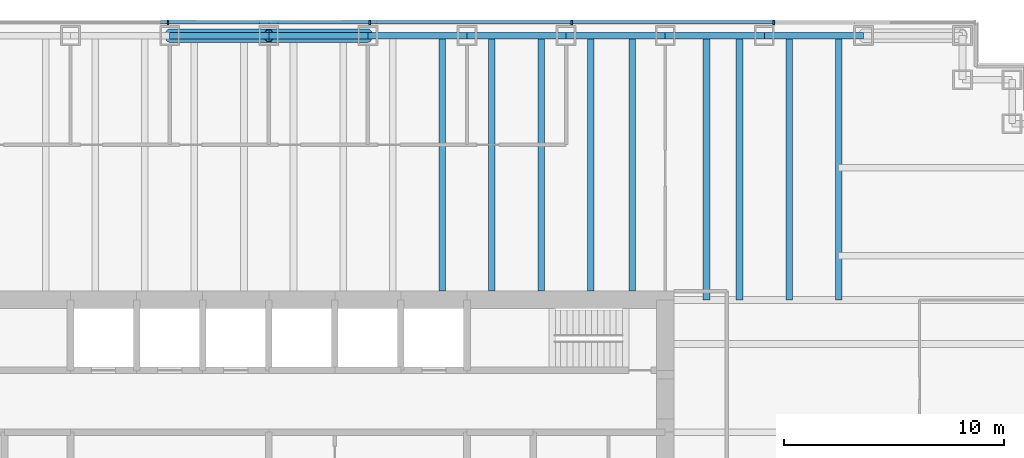
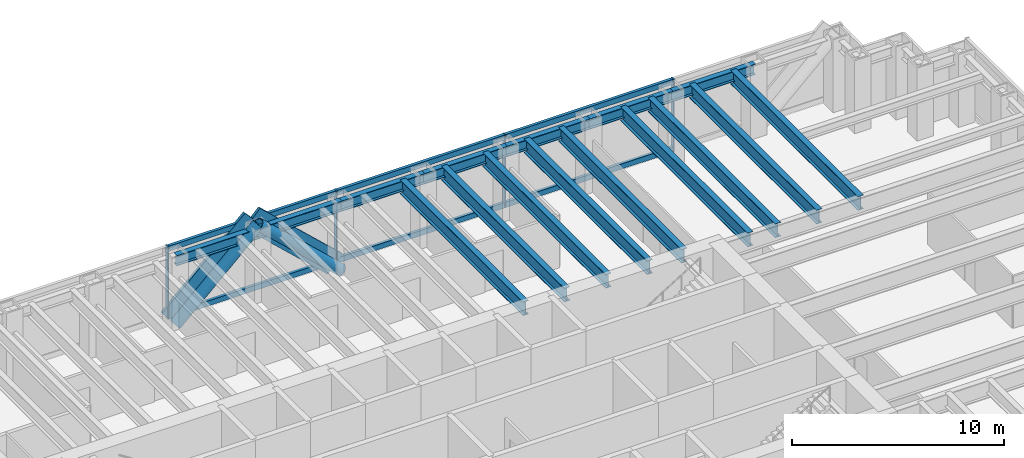
# One storey, part 6 of 14: 16 beams, 14 members, 1 element without a shape of its own.
"""IFC4 building model written with IfcOpenShell, lengths in metres."""

from ifc_helpers import new_model, si_unit, direction, frame, origin, origin_2d, place, context, subcontext, project, spatial, rectangle, hollow_circle, i_section, extrude, material, material_profile, profile_set, type_object, element, aggregate, save


model = new_model("IFC4")

# Units and contexts
model_context = context("Model", 3, precision=1e-05, world=origin(), true_north=direction((0.0, 1.0)))
body_context = subcontext(model_context, "Body", "Model", "MODEL_VIEW")
ifc_project = project(units=[si_unit("LENGTHUNIT", "METRE"), si_unit("AREAUNIT", "SQUARE_METRE"), si_unit("VOLUMEUNIT", "CUBIC_METRE"), si_unit("PLANEANGLEUNIT", "RADIAN"), si_unit("MASSUNIT", "GRAM", prefix="KILO")], contexts=[model_context])

# Site, building, storey
site_placement = place(None, origin())
site = spatial("IfcSite", under=ifc_project, at=site_placement, CompositionType="ELEMENT")
building_placement = place(site_placement, origin())
building = spatial("IfcBuilding", under=site, at=building_placement, Name="Rheinbord Bourse Tower", CompositionType="ELEMENT")
storey_placement = place(building_placement, frame((0.0, 0.0, 240.39990234375)))
storey = spatial("IfcBuildingStorey", under=building, at=storey_placement, Name="L54", CompositionType="ELEMENT", Elevation=240.39990234375)

# Curtain wall, members
ifc_material_1 = material(Name="Dark glass and black aluminium", Category="aluminium")
curtain_wall_type = type_object("IfcCurtainWallType", Name="CW2 DARK GLASS CURTAIN WALL", PredefinedType="USERDEFINED", material=ifc_material_1)
curtain_wall_placement = place(storey_placement, origin())
curtain_wall = element("IfcCurtainWall", 1, at=curtain_wall_placement, inside=storey, type_object=curtain_wall_type, Name="Curtain wall CW2 N L54", ObjectType="UNITISED CURTAIN WALL", PredefinedType="USERDEFINED")
ifc_material_2 = material(Name="Black anodised aluminium", Category="aluminium")
ifc_material_profile_1 = material_profile(ifc_material_2, rectangle(XDim=0.159912109375, YDim=1.2099609375, at=origin_2d()), Name="CW2 DIAGONAL MULLION 1210x160")
ifc_profile_set_1 = profile_set([ifc_material_profile_1], Name="Black anodised aluminium")
member_type_1 = type_object("IfcMemberType", Name="CW2 BLACK DIAGONAL MULLION", PredefinedType="USERDEFINED", material=ifc_profile_set_1)
member_1_placement = place(storey_placement, frame((31.5, 44.60009765625, 0.0), z_axis=(0.731039441158, 0.0, 0.682335207557), x_axis=(0.0, 1.0, 0.0)))
member_1 = element("IfcMember", 2, at=member_1_placement, type_object=member_type_1, Name="CW2 diagonal mullion c", ObjectType="DIAGONAL MULLION", PredefinedType="USERDEFINED", context=body_context, shape_type="SweptSolid", body=[
    extrude(rectangle(XDim=0.159912109375, YDim=1.2099609375, at=origin_2d()), origin(), (0.0, 0.0, 1.0), 6.155517578125),
])
member_2_placement = place(storey_placement, frame((40.5, 44.60009765625, 0.0), z_axis=(-0.731039441158, 0.0, 0.682335207557), x_axis=(0.0, -1.0, 0.0)))
member_2 = element("IfcMember", 3, at=member_2_placement, type_object=member_type_1, Name="CW2 diagonal mullion d", ObjectType="DIAGONAL MULLION", PredefinedType="USERDEFINED", context=body_context, shape_type="SweptSolid", body=[
    extrude(rectangle(XDim=0.159912109375, YDim=1.2099609375, at=origin_2d()), origin(), (0.0, 0.0, 1.0), 6.155517578125),
])
ifc_material_3 = material(Name="Black anodised aluminium", Category="aluminium")
ifc_material_profile_2 = material_profile(ifc_material_3, rectangle(XDim=0.219970703125, YDim=0.070068359375, at=origin_2d()), Name="CW2 MULLION 70x220")
ifc_profile_set_2 = profile_set([ifc_material_profile_2], Name="Black anodised aluminium")
member_type_2 = type_object("IfcMemberType", Name="CW2 BLACK MULLION", PredefinedType="MULLION", material=ifc_profile_set_2)
member_3_placement = place(storey_placement, frame((58.928466796875, 44.60009765625, 0.0), z_axis=(0.0, 0.0, 1.0), x_axis=(0.0, -1.0, 0.0)))
member_3 = element("IfcMember", 4, at=member_3_placement, type_object=member_type_2, Name="CW2 mullion 2", PredefinedType="MULLION", context=body_context, shape_type="SweptSolid", body=[
    extrude(rectangle(XDim=0.219970703125, YDim=0.070068359375, at=origin_2d()), origin(), (0.0, 0.0, 1.0), 4.2001953125),
])
member_4_placement = place(storey_placement, frame((49.757080078125, 44.60009765625, 0.0), z_axis=(0.0, 0.0, 1.0), x_axis=(0.0, -1.0, 0.0)))
member_4 = element("IfcMember", 5, at=member_4_placement, type_object=member_type_2, Name="CW2 mullion 3", PredefinedType="MULLION", context=body_context, shape_type="SweptSolid", body=[
    extrude(rectangle(XDim=0.219970703125, YDim=0.070068359375, at=origin_2d()), origin(), (0.0, 0.0, 1.0), 4.2001953125),
])
member_5_placement = place(storey_placement, frame((40.585693359375, 44.60009765625, 0.0), z_axis=(0.0, 0.0, 1.0), x_axis=(0.0, -1.0, 0.0)))
member_5 = element("IfcMember", 6, at=member_5_placement, type_object=member_type_2, Name="CW2 mullion 4", PredefinedType="MULLION", context=body_context, shape_type="SweptSolid", body=[
    extrude(rectangle(XDim=0.219970703125, YDim=0.070068359375, at=origin_2d()), origin(), (0.0, 0.0, 1.0), 4.2001953125),
])
member_6_placement = place(storey_placement, frame((31.414306640625, 44.60009765625, 0.0), z_axis=(0.0, 0.0, 1.0), x_axis=(0.0, -1.0, 0.0)))
member_6 = element("IfcMember", 7, at=member_6_placement, type_object=member_type_2, Name="CW2 mullion 5", PredefinedType="MULLION", context=body_context, shape_type="SweptSolid", body=[
    extrude(rectangle(XDim=0.219970703125, YDim=0.070068359375, at=origin_2d()), origin(), (0.0, 0.0, 1.0), 4.2001953125),
])
ifc_material_4 = material(Name="Black anodised aluminium", Category="aluminium")
ifc_material_profile_3 = material_profile(ifc_material_4, rectangle(XDim=0.159912109375, YDim=0.300048828125, at=origin_2d()), Name="CW2 TRANSOM 300x160")
ifc_profile_set_3 = profile_set([ifc_material_profile_3], Name="Black anodised aluminium")
member_type_3 = type_object("IfcMemberType", Name="CW2 BLACK TRANSOM", PredefinedType="USERDEFINED", material=ifc_profile_set_3)
member_7_placement = place(storey_placement, frame((58.8935546875, 44.60009765625, 0.150146484375), z_axis=(-1.0, 0.0, 0.0), x_axis=(0.0, -1.0, 0.0)))
member_7 = element("IfcMember", 8, at=member_7_placement, type_object=member_type_3, Name="CW2 transom 2.1", ObjectType="TRANSOM", PredefinedType="USERDEFINED", context=body_context, shape_type="SweptSolid", body=[
    extrude(rectangle(XDim=0.159912109375, YDim=0.300048828125, at=origin_2d()), origin(), (0.0, 0.0, 1.0), 9.101318359375),
])
member_8_placement = place(storey_placement, frame((58.8935546875, 44.60009765625, 4.050048828125), z_axis=(-1.0, 0.0, 0.0), x_axis=(0.0, -1.0, 0.0)))
member_8 = element("IfcMember", 9, at=member_8_placement, type_object=member_type_3, Name="CW2 transom 2.2", ObjectType="TRANSOM", PredefinedType="USERDEFINED", context=body_context, shape_type="SweptSolid", body=[
    extrude(rectangle(XDim=0.159912109375, YDim=0.300048828125, at=origin_2d()), origin(), (0.0, 0.0, 1.0), 9.101318359375),
])
member_9_placement = place(storey_placement, frame((49.72216796875, 44.60009765625, 0.150146484375), z_axis=(-1.0, 0.0, 0.0), x_axis=(0.0, -1.0, 0.0)))
member_9 = element("IfcMember", 10, at=member_9_placement, type_object=member_type_3, Name="CW2 transom 3.1", ObjectType="TRANSOM", PredefinedType="USERDEFINED", context=body_context, shape_type="SweptSolid", body=[
    extrude(rectangle(XDim=0.159912109375, YDim=0.300048828125, at=origin_2d()), origin(), (0.0, 0.0, 1.0), 9.1015625),
])
member_10_placement = place(storey_placement, frame((49.72216796875, 44.60009765625, 4.050048828125), z_axis=(-1.0, 0.0, 0.0), x_axis=(0.0, -1.0, 0.0)))
member_10 = element("IfcMember", 11, at=member_10_placement, type_object=member_type_3, Name="CW2 transom 3.2", ObjectType="TRANSOM", PredefinedType="USERDEFINED", context=body_context, shape_type="SweptSolid", body=[
    extrude(rectangle(XDim=0.159912109375, YDim=0.300048828125, at=origin_2d()), origin(), (0.0, 0.0, 1.0), 9.1015625),
])
member_11_placement = place(storey_placement, frame((40.55078125, 44.60009765625, 0.150146484375), z_axis=(-1.0, 0.0, 0.0), x_axis=(0.0, -1.0, 0.0)))
member_11 = element("IfcMember", 12, at=member_11_placement, type_object=member_type_3, Name="CW2 transom 4.1", ObjectType="TRANSOM", PredefinedType="USERDEFINED", context=body_context, shape_type="SweptSolid", body=[
    extrude(rectangle(XDim=0.159912109375, YDim=0.300048828125, at=origin_2d()), origin(), (0.0, 0.0, 1.0), 9.1015625),
])
member_12_placement = place(storey_placement, frame((40.55078125, 44.60009765625, 4.050048828125), z_axis=(-1.0, 0.0, 0.0), x_axis=(0.0, -1.0, 0.0)))
member_12 = element("IfcMember", 13, at=member_12_placement, type_object=member_type_3, Name="CW2 transom 4.2", ObjectType="TRANSOM", PredefinedType="USERDEFINED", context=body_context, shape_type="SweptSolid", body=[
    extrude(rectangle(XDim=0.159912109375, YDim=0.300048828125, at=origin_2d()), origin(), (0.0, 0.0, 1.0), 9.1015625),
])
aggregate(curtain_wall, [member_3, member_4, member_5, member_6, member_7, member_8, member_9, member_10, member_11, member_12, member_1, member_2])

# Beams
ifc_material_5 = material(Name="Steel S460", Category="steel")
ifc_material_profile_4 = material_profile(ifc_material_5, i_section(OverallWidth=0.300048828125, OverallDepth=0.800048828125, WebThickness=0.017578125, FlangeThickness=0.032958984375, at=origin_2d()), Name="HEB 800")
ifc_profile_set_4 = profile_set([ifc_material_profile_4], Name="Steel S460")
beam_type_1 = type_object("IfcBeamType", Name="FLOOR BEAM HEB 800", PredefinedType="BEAM", material=ifc_profile_set_4)
for number, where, z_axis, x_axis, name in (
    (14, (43.875, 44.0, 3.64013671875), (0.0, -1.0, 0.0), (1.0, 0.0, 0.0), "Floor beam N-40.5b L55"),
    (15, (46.125, 44.0, 3.64013671875), (0.0, -1.0, 0.0), (1.0, 0.0, 0.0), "Floor beam N-45a L55"),
    (16, (48.375, 44.0, 3.64013671875), (0.0, -1.0, 0.0), (1.0, 0.0, 0.0), "Floor beam N-45b L55"),
    (17, (50.625, 44.0, 3.64013671875), (0.0, -1.0, 0.0), (1.0, 0.0, 0.0), "Floor beam N-49.5a L55"),
    (18, (52.5, 44.0, 3.64013671875), (0.0, -1.0, 0.0), (1.0, 0.0, 0.0), "Floor beam N-49.5b L55"),
):
    element("IfcBeam", number, at=place(storey_placement, frame(where, z_axis=z_axis, x_axis=x_axis)), inside=storey, type_object=beam_type_1, Name=name, PredefinedType="BEAM", context=body_context, shape_type="SweptSolid", body=[
        extrude(i_section(OverallWidth=0.300048828125, OverallDepth=0.800048828125, WebThickness=0.017578125, FlangeThickness=0.032958984375, at=origin_2d()), origin(), (0.0, 0.0, 1.0), 11.60009765625),
    ])
for number, where, z_axis, x_axis, name in (
    (19, (55.875, 44.0, 3.64013671875), (0.0, -1.0, 0.0), (1.0, 0.0, 0.0), "Floor beam N-54a L55"),
    (20, (57.375, 44.0, 3.64013671875), (0.0, -1.0, 0.0), (1.0, 0.0, 0.0), "Floor beam N-54b L55"),
    (21, (59.625, 44.0, 3.64013671875), (0.0, -1.0, 0.0), (1.0, 0.0, 0.0), "Floor beam N-58.5a L55"),
    (22, (61.875, 44.0, 3.64013671875), (0.0, -1.0, 0.0), (1.0, 0.0, 0.0), "Floor beam N-58.5b L55"),
):
    element("IfcBeam", number, at=place(storey_placement, frame(where, z_axis=z_axis, x_axis=x_axis)), inside=storey, type_object=beam_type_1, Name=name, PredefinedType="BEAM", context=body_context, shape_type="SweptSolid", body=[
        extrude(i_section(OverallWidth=0.300048828125, OverallDepth=0.800048828125, WebThickness=0.017578125, FlangeThickness=0.032958984375, at=origin_2d()), origin(), (0.0, 0.0, 1.0), 12.0),
    ])

# Members
ifc_material_6 = material(Name="Steel S460", Category="steel")
ifc_material_profile_5 = material_profile(ifc_material_6, hollow_circle(Radius=0.304931640625, WallThickness=0.0400390625, at=origin_2d()), Name="CHS 610x40")
ifc_profile_set_5 = profile_set([ifc_material_profile_5], Name="Steel S460")
member_type_4 = type_object("IfcMemberType", Name="MEGABRACE CHS 610x40", PredefinedType="BRACE", material=ifc_profile_set_5)
for number, where, z_axis, x_axis, name in (
    (23, (31.5, 44.0, 0.0), (0.731039441158, 0.0, 0.682335207557), (0.0, 1.0, 0.0), "Megabrace N face line c L54"),
    (24, (40.5, 44.0, 0.0), (-0.731039441158, 0.0, 0.682335207557), (0.0, -1.0, 0.0), "Megabrace N face line d L54"),
):
    element("IfcMember", number, at=place(storey_placement, frame(where, z_axis=z_axis, x_axis=x_axis)), inside=storey, type_object=member_type_4, Name=name, PredefinedType="BRACE", context=body_context, shape_type="SweptSolid", body=[
        extrude(hollow_circle(Radius=0.304931640625, WallThickness=0.0400390625, at=origin_2d()), origin(), (0.0, 0.0, 1.0), 6.155517578125),
    ])

# Beams
ifc_material_7 = material(Name="Steel S460", Category="steel")
ifc_material_profile_6 = material_profile(ifc_material_7, i_section(OverallWidth=0.300048828125, OverallDepth=0.60009765625, WebThickness=0.015380859375, FlangeThickness=0.030029296875, at=origin_2d()), Name="HEB 600")
ifc_profile_set_6 = profile_set([ifc_material_profile_6], Name="Steel S460")
beam_type_2 = type_object("IfcBeamType", Name="SPANDREL HEB 600", PredefinedType="SPANDREL", material=ifc_profile_set_6)
for number, where, z_axis, x_axis, name in (
    (25, (63.0, 44.0, 3.739990234375), (-1.0, 0.0, 0.0), (0.0, -1.0, 0.0), "Spandrel N-63-N-58.5 under L55"),
    (26, (58.5, 44.0, 3.739990234375), (-1.0, 0.0, 0.0), (0.0, -1.0, 0.0), "Spandrel N-58.5-N-54 under L55"),
    (27, (54.0, 44.0, 3.739990234375), (-1.0, 0.0, 0.0), (0.0, -1.0, 0.0), "Spandrel N-54-N-49.5 under L55"),
    (28, (49.5, 44.0, 3.739990234375), (-1.0, 0.0, 0.0), (0.0, -1.0, 0.0), "Spandrel N-49.5-N-45 under L55"),
    (29, (45.0, 44.0, 3.739990234375), (-1.0, 0.0, 0.0), (0.0, -1.0, 0.0), "Spandrel N-45-N-40.5 under L55"),
    (30, (40.5, 44.0, 3.739990234375), (-1.0, 0.0, 0.0), (0.0, -1.0, 0.0), "Spandrel N-40.5-N-36 under L55"),
    (31, (36.0, 44.0, 3.739990234375), (-1.0, 0.0, 0.0), (0.0, -1.0, 0.0), "Spandrel N-36-N-31.5 under L55"),
):
    element("IfcBeam", number, at=place(storey_placement, frame(where, z_axis=z_axis, x_axis=x_axis)), inside=storey, type_object=beam_type_2, Name=name, PredefinedType="SPANDREL", context=body_context, shape_type="SweptSolid", body=[
        extrude(i_section(OverallWidth=0.300048828125, OverallDepth=0.60009765625, WebThickness=0.015380859375, FlangeThickness=0.030029296875, at=origin_2d()), origin(), (0.0, 0.0, 1.0), 4.5),
    ])

save(model, "model.ifc")
